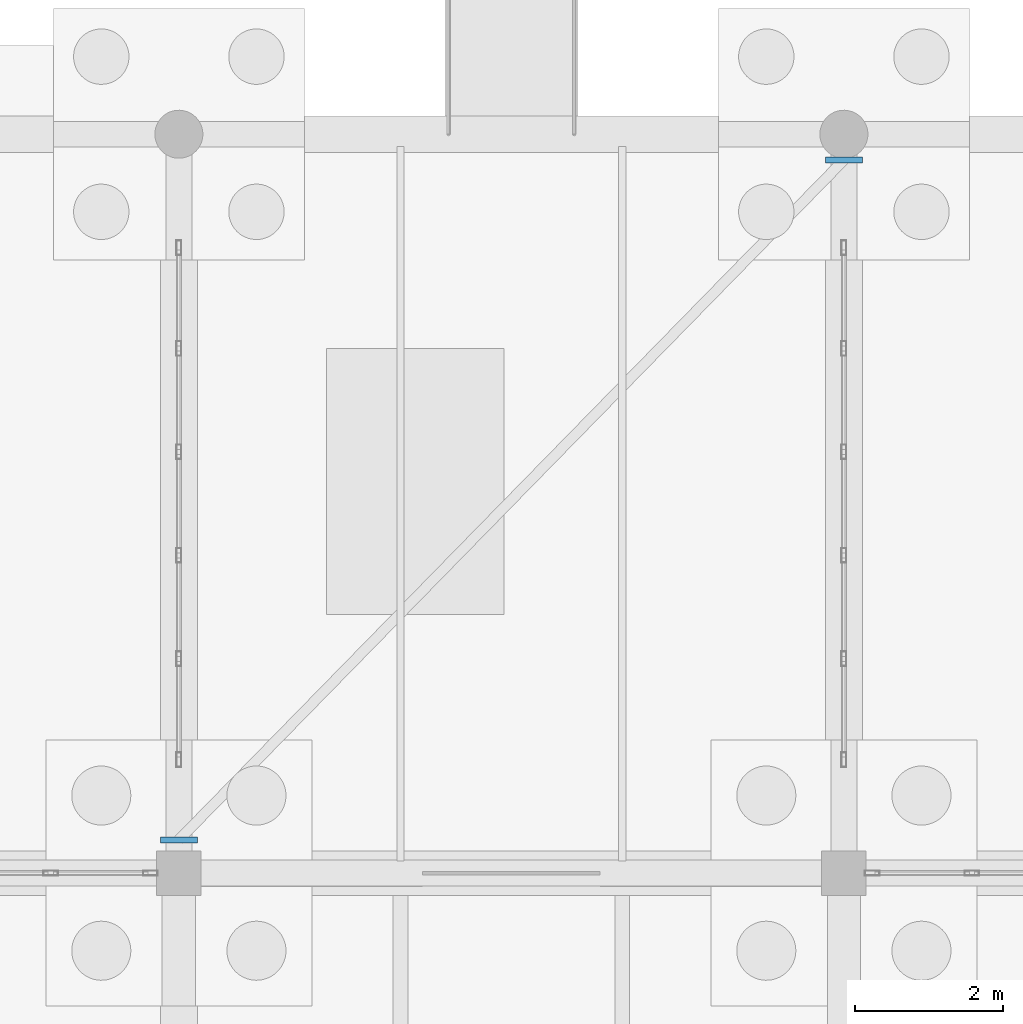
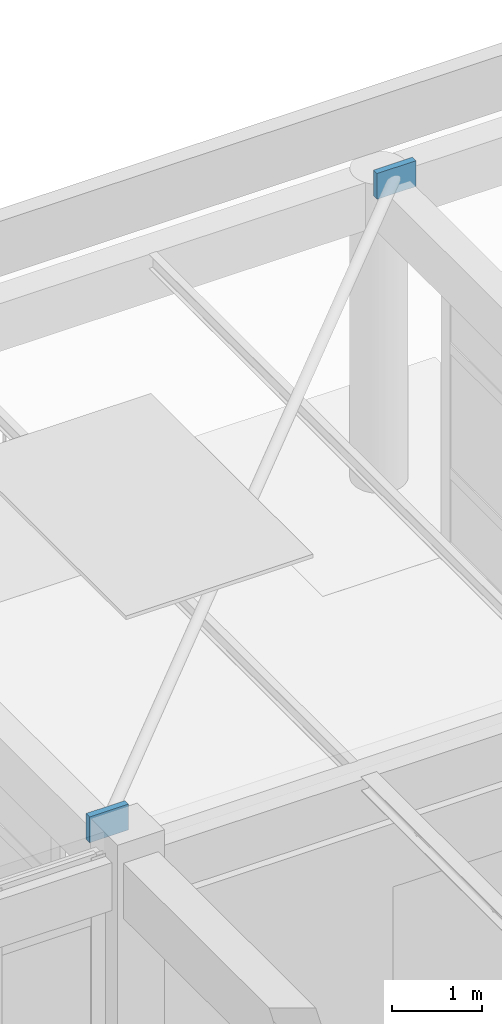
# One storey, part 158 of 186: 2 plates.
"""IFC4 building model written with IfcOpenShell, lengths in metres."""

from ifc_helpers import new_model, si_unit, direction, frame, origin, origin_2d, place, context, subcontext, project, spatial, rectangle, extrude, material, layer, layer_set, type_object, element, save


model = new_model("IFC4")

# Units and contexts
model_context = context("Model", 3, precision=1e-05, world=origin(), true_north=direction((0.0, 1.0)))
body_context = subcontext(model_context, "Body", "Model", "MODEL_VIEW")
ifc_project = project(units=[si_unit("LENGTHUNIT", "METRE"), si_unit("AREAUNIT", "SQUARE_METRE"), si_unit("VOLUMEUNIT", "CUBIC_METRE"), si_unit("PLANEANGLEUNIT", "RADIAN"), si_unit("MASSUNIT", "GRAM", prefix="KILO")], contexts=[model_context])

# Site, building, storey
site_placement = place(None, origin())
site = spatial("IfcSite", under=ifc_project, at=site_placement, CompositionType="ELEMENT")
building_placement = place(site_placement, origin())
building = spatial("IfcBuilding", under=site, at=building_placement, Name="Ornek Quay Market", CompositionType="ELEMENT")
storey_placement = place(building_placement, origin())
storey = spatial("IfcBuildingStorey", under=building, at=storey_placement, Name="L00", CompositionType="ELEMENT", Elevation=0.0)

# Plates
ifc_material = material(Name="Steel S355", Category="steel")
ifc_layer = layer(ifc_material, 0.02001953125, Name="Steel S355", Category="steel")
ifc_layer_set = layer_set([ifc_layer], Name="Steel S355")
plate_type = type_object("IfcPlateType", Name="PL-FLG-500x350x20", PredefinedType="USERDEFINED", material=ifc_layer_set)
for number, where, z_axis, x_axis, name in (
    (1, (162.0, 110.449951171875, 4.0849609375), (0.0, 0.0, 1.0), (1.0, 0.0, 0.0), "Quay brace end plate QP-061"),
    (2, (171.0, 119.64990234375, 4.0849609375), (0.0, 0.0, 1.0), (1.0, 0.0, 0.0), "Quay brace end plate QP-062"),
):
    element("IfcPlate", number, at=place(storey_placement, frame(where, z_axis=z_axis, x_axis=x_axis)), inside=storey, type_object=plate_type, Name=name, ObjectType="FLANGE PLATE", PredefinedType="USERDEFINED", context=body_context, shape_type="SweptSolid", body=[
        extrude(rectangle(XDim=0.5, YDim=0.080078125, at=origin_2d()), origin(), (0.0, 0.0, 1.0), 0.35009765625),
    ])

save(model, "model.ifc")
